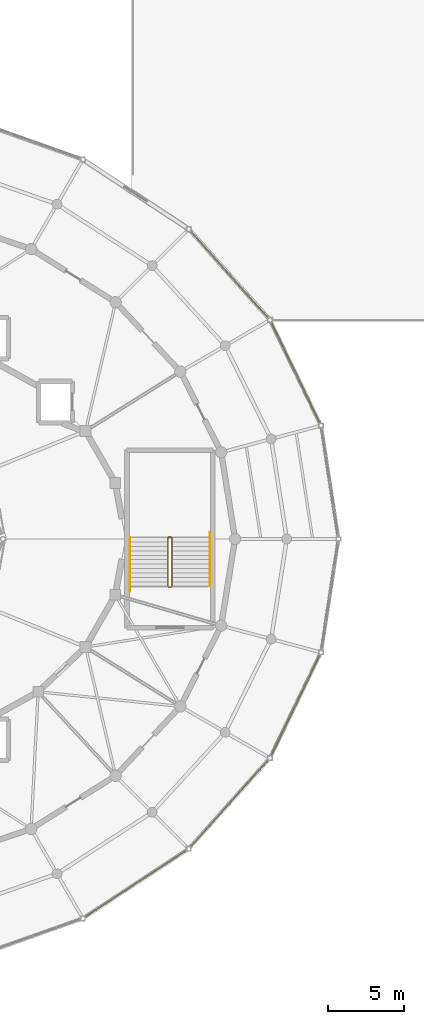
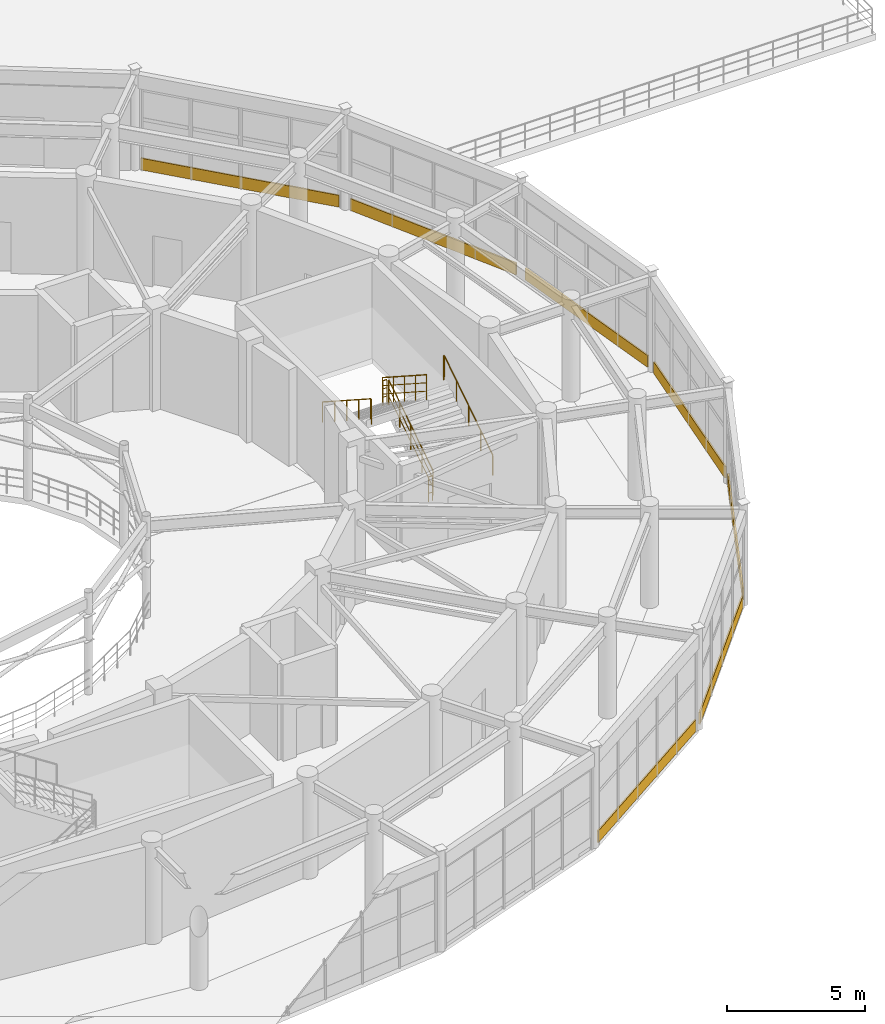
# One storey, part 59 of 60: 7 coverings, 6 railings.
"""IFC4 building model written with IfcOpenShell, lengths in metres."""

from ifc_helpers import new_model, si_unit, direction, frame, origin, origin_2d, place, context, subcontext, project, spatial, rectangle, circle, extrude, material, layer, layer_set, type_object, element, save


model = new_model("IFC4")

# Units and contexts
model_context = context("Model", 3, precision=1e-05, world=origin(), true_north=direction((0.0, 1.0)))
body_context = subcontext(model_context, "Body", "Model", "MODEL_VIEW")
ifc_project = project(units=[si_unit("LENGTHUNIT", "METRE"), si_unit("AREAUNIT", "SQUARE_METRE"), si_unit("VOLUMEUNIT", "CUBIC_METRE"), si_unit("PLANEANGLEUNIT", "RADIAN"), si_unit("MASSUNIT", "GRAM", prefix="KILO")], contexts=[model_context])

# Site, building, storey
site_placement = place(None, origin())
site = spatial("IfcSite", under=ifc_project, at=site_placement, CompositionType="ELEMENT")
building_placement = place(site_placement, origin())
building = spatial("IfcBuilding", under=site, at=building_placement, Name="Cinderbank Siding Concert Hall", CompositionType="ELEMENT")
storey_placement = place(building_placement, frame((0.0, 0.0, 14.699951171875)))
storey = spatial("IfcBuildingStorey", under=building, at=storey_placement, Name="L04", CompositionType="ELEMENT", Elevation=14.699951171875)

# Coverings
ifc_material_1 = material(Name="Spotted gum glulam timber GL18 (42 MPa)", Category="wood")
ifc_layer = layer(ifc_material_1, 0.06494140625)
ifc_layer_set = layer_set([ifc_layer], Name="Spotted gum glulam timber GL18 (42 MPa)")
covering_type = type_object("IfcCoveringType", Name="CL-01 Spotted Gum Spandrel Band 520mm", PredefinedType="CLADDING", material=ifc_layer_set)
covering_1_placement = place(storey_placement, frame((155.027587890625, 47.72705078125, 0.0), z_axis=(0.0, 0.0, 1.0), x_axis=(-0.151815048473, 0.988408918949, 0.0)))
element("IfcCovering", 1, at=covering_1_placement, inside=storey, type_object=covering_type, Name="CW-L04-049 Spotted Gum Spandrel Band", PredefinedType="CLADDING", context=body_context, shape_type="SweptSolid", body=[
    extrude(rectangle(XDim=7.08740234375, YDim=0.06494140625, at=origin_2d()), origin(), (0.0, 0.0, 1.0), 0.52001953125),
])
covering_2_placement = place(storey_placement, frame((152.77685546875, 54.927001953125, 0.0), z_axis=(0.0, 0.0, 1.0), x_axis=(-0.435102109714, 0.900381116041, 0.0)))
element("IfcCovering", 2, at=covering_2_placement, inside=storey, type_object=covering_type, Name="CW-L04-050 Spotted Gum Spandrel Band", PredefinedType="CLADDING", context=body_context, shape_type="SweptSolid", body=[
    extrude(rectangle(XDim=7.260498046875, YDim=0.06494140625, at=origin_2d()), origin(), (0.0, 0.0, 1.0), 0.52001953125),
])
covering_3_placement = place(storey_placement, frame((148.4287109375, 61.38232421875, 0.0), z_axis=(0.0, 0.0, 1.0), x_axis=(-0.666993465338, 0.745063565877, 0.0)))
element("IfcCovering", 3, at=covering_3_placement, inside=storey, type_object=covering_type, Name="CW-L04-051 Spotted Gum Spandrel Band", PredefinedType="CLADDING", context=body_context, shape_type="SweptSolid", body=[
    extrude(rectangle(XDim=7.5517578125, YDim=0.06494140625, at=origin_2d()), origin(), (0.0, 0.0, 1.0), 0.52001953125),
])
covering_4_placement = place(storey_placement, frame((142.279296875, 21.346923828125, 0.0), z_axis=(0.0, 0.0, 1.0), x_axis=(0.835491932304, 0.549502712509, 0.0)))
element("IfcCovering", 4, at=covering_4_placement, inside=storey, type_object=covering_type, Name="CW-L04-068 Spotted Gum Spandrel Band", PredefinedType="CLADDING", context=body_context, shape_type="SweptSolid", body=[
    extrude(rectangle(XDim=7.875, YDim=0.06494140625, at=origin_2d()), origin(), (0.0, 0.0, 1.0), 0.52001953125),
])
covering_5_placement = place(storey_placement, frame((148.4287109375, 26.61767578125, 0.0), z_axis=(0.0, 0.0, 1.0), x_axis=(0.666993465338, 0.745063565877, 0.0)))
element("IfcCovering", 5, at=covering_5_placement, inside=storey, type_object=covering_type, Name="CW-L04-069 Spotted Gum Spandrel Band", PredefinedType="CLADDING", context=body_context, shape_type="SweptSolid", body=[
    extrude(rectangle(XDim=7.5517578125, YDim=0.06494140625, at=origin_2d()), origin(), (0.0, 0.0, 1.0), 0.52001953125),
])
covering_6_placement = place(storey_placement, frame((152.77685546875, 33.072998046875, 0.0), z_axis=(0.0, 0.0, 1.0), x_axis=(0.435102109714, 0.900381116041, 0.0)))
element("IfcCovering", 6, at=covering_6_placement, inside=storey, type_object=covering_type, Name="CW-L04-070 Spotted Gum Spandrel Band", PredefinedType="CLADDING", context=body_context, shape_type="SweptSolid", body=[
    extrude(rectangle(XDim=7.260498046875, YDim=0.06494140625, at=origin_2d()), origin(), (0.0, 0.0, 1.0), 0.52001953125),
])
covering_7_placement = place(storey_placement, frame((155.027587890625, 40.27294921875, 0.0), z_axis=(0.0, 0.0, 1.0), x_axis=(0.151815048473, 0.988408918949, 0.0)))
element("IfcCovering", 7, at=covering_7_placement, inside=storey, type_object=covering_type, Name="CW-L04-071 Spotted Gum Spandrel Band", PredefinedType="CLADDING", context=body_context, shape_type="SweptSolid", body=[
    extrude(rectangle(XDim=7.08740234375, YDim=0.06494140625, at=origin_2d()), origin(), (0.0, 0.0, 1.0), 0.52001953125),
])

# Railings
ifc_material_2 = material(Name="Structural steel AS/NZS 3679.1 Grade 350 (340 MPa)", Category="steel")
railing_type_1 = type_object("IfcRailingType", Name="STG-01 Stair Well Guardrail 1120mm", PredefinedType="GUARDRAIL", material=ifc_material_2)
railing_1_placement = place(storey_placement, frame((144.64990234375, 40.89990234375, 0.1875)))
element("IfcRailing", 8, at=railing_1_placement, inside=storey, type_object=railing_type_1, Name="L04 ST-03 stair guard 1", PredefinedType="GUARDRAIL", context=body_context, shape_type="SweptSolid", body=[
    extrude(circle(Radius=0.02392578125, at=origin_2d()), frame((0.0, 0.0, 1.09619140625), z_axis=(0.0, 0.839778728322, 0.542928805147), x_axis=(-1.0, 0.0, 0.0)), (0.0, 0.0, 1.0), 3.798828125),
    extrude(circle(Radius=0.01611328125, at=origin_2d()), frame((0.0, 0.0, 0.36962890625), z_axis=(0.0, 0.839778728322, 0.542928805147), x_axis=(-1.0, 0.0, 0.0)), (0.0, 0.0, 1.0), 3.798828125),
    extrude(circle(Radius=0.01611328125, at=origin_2d()), frame((0.0, 0.0, 0.7392578125), z_axis=(0.0, 0.839778728322, 0.542928805147), x_axis=(-1.0, 0.0, 0.0)), (0.0, 0.0, 1.0), 3.798828125),
    extrude(circle(Radius=0.02099609375, at=origin_2d()), origin(), (0.0, 0.0, 1.0), 1.072021484375),
    extrude(circle(Radius=0.02099609375, at=origin_2d()), frame((0.0, 0.797607421875, 0.515625)), (0.0, 0.0, 1.0), 1.072021484375),
    extrude(circle(Radius=0.02099609375, at=origin_2d()), frame((0.0, 1.59521484375, 1.03125)), (0.0, 0.0, 1.0), 1.072021484375),
    extrude(circle(Radius=0.02099609375, at=origin_2d()), frame((0.0, 2.392578125, 1.546875)), (0.0, 0.0, 1.0), 1.072021484375),
    extrude(circle(Radius=0.02099609375, at=origin_2d()), frame((0.0, 3.190185546875, 2.0625)), (0.0, 0.0, 1.0), 1.072021484375),
])
railing_2_placement = place(storey_placement, frame((144.60009765625, 44.139892578125, 2.25)))
element("IfcRailing", 9, at=railing_2_placement, inside=storey, type_object=railing_type_1, Name="L04 ST-03 stair guard 2", PredefinedType="GUARDRAIL", context=body_context, shape_type="SweptSolid", body=[
    extrude(circle(Radius=0.02392578125, at=origin_2d()), frame((0.0, 0.0, 1.09619140625), z_axis=(-1.0, 0.0, 0.0), x_axis=(0.0, -1.0, 0.0)), (0.0, 0.0, 1.0), 0.16015625),
    extrude(circle(Radius=0.01611328125, at=origin_2d()), frame((0.0, 0.0, 0.36962890625), z_axis=(-1.0, 0.0, 0.0), x_axis=(0.0, -1.0, 0.0)), (0.0, 0.0, 1.0), 0.16015625),
    extrude(circle(Radius=0.01611328125, at=origin_2d()), frame((0.0, 0.0, 0.7392578125), z_axis=(-1.0, 0.0, 0.0), x_axis=(0.0, -1.0, 0.0)), (0.0, 0.0, 1.0), 0.16015625),
    extrude(circle(Radius=0.02099609375, at=origin_2d()), origin(), (0.0, 0.0, 1.0), 1.072021484375),
    extrude(circle(Radius=0.02099609375, at=origin_2d()), frame((-0.16015625, 0.0, 0.0)), (0.0, 0.0, 1.0), 1.072021484375),
])
railing_3_placement = place(storey_placement, frame((144.389892578125, 44.090087890625, 2.4375)))
element("IfcRailing", 10, at=railing_3_placement, inside=storey, type_object=railing_type_1, Name="L04 ST-03 stair guard 3", PredefinedType="GUARDRAIL", context=body_context, shape_type="SweptSolid", body=[
    extrude(circle(Radius=0.02392578125, at=origin_2d()), frame((0.0, 0.0, 1.09619140625), z_axis=(0.0, -0.839778728322, 0.542928805147), x_axis=(1.0, 0.0, 0.0)), (0.0, 0.0, 1.0), 3.798828125),
    extrude(circle(Radius=0.01611328125, at=origin_2d()), frame((0.0, 0.0, 0.36962890625), z_axis=(0.0, -0.839778728322, 0.542928805147), x_axis=(1.0, 0.0, 0.0)), (0.0, 0.0, 1.0), 3.798828125),
    extrude(circle(Radius=0.01611328125, at=origin_2d()), frame((0.0, 0.0, 0.7392578125), z_axis=(0.0, -0.839778728322, 0.542928805147), x_axis=(1.0, 0.0, 0.0)), (0.0, 0.0, 1.0), 3.798828125),
    extrude(circle(Radius=0.02099609375, at=origin_2d()), origin(), (0.0, 0.0, 1.0), 1.072021484375),
    extrude(circle(Radius=0.02099609375, at=origin_2d()), frame((0.0, -0.797607421875, 0.515625)), (0.0, 0.0, 1.0), 1.072021484375),
    extrude(circle(Radius=0.02099609375, at=origin_2d()), frame((0.0, -1.59521484375, 1.03125)), (0.0, 0.0, 1.0), 1.072021484375),
    extrude(circle(Radius=0.02099609375, at=origin_2d()), frame((0.0, -2.392578125, 1.546875)), (0.0, 0.0, 1.0), 1.072021484375),
    extrude(circle(Radius=0.02099609375, at=origin_2d()), frame((0.0, -3.190185546875, 2.0625)), (0.0, 0.0, 1.0), 1.072021484375),
])
railing_4_placement = place(storey_placement, frame((144.60009765625, 40.85009765625, 0.0)))
element("IfcRailing", 11, at=railing_4_placement, inside=storey, type_object=railing_type_1, Name="L04 ST-03 stair guard 4", PredefinedType="GUARDRAIL", context=body_context, shape_type="SweptSolid", body=[
    extrude(circle(Radius=0.02392578125, at=origin_2d()), frame((0.0, 0.0, 1.09619140625), z_axis=(-1.0, 0.0, 0.0), x_axis=(0.0, -1.0, 0.0)), (0.0, 0.0, 1.0), 0.16015625),
    extrude(circle(Radius=0.01611328125, at=origin_2d()), frame((0.0, 0.0, 0.36962890625), z_axis=(-1.0, 0.0, 0.0), x_axis=(0.0, -1.0, 0.0)), (0.0, 0.0, 1.0), 0.16015625),
    extrude(circle(Radius=0.01611328125, at=origin_2d()), frame((0.0, 0.0, 0.7392578125), z_axis=(-1.0, 0.0, 0.0), x_axis=(0.0, -1.0, 0.0)), (0.0, 0.0, 1.0), 0.16015625),
    extrude(circle(Radius=0.02099609375, at=origin_2d()), origin(), (0.0, 0.0, 1.0), 1.072021484375),
    extrude(circle(Radius=0.02099609375, at=origin_2d()), frame((-0.16015625, 0.0, 0.0)), (0.0, 0.0, 1.0), 1.072021484375),
])
railing_type_2 = type_object("IfcRailingType", Name="STH-01 Stair Pitch Handrail 920mm", PredefinedType="HANDRAIL", material=ifc_material_2)
railing_5_placement = place(storey_placement, frame((147.14990234375, 40.89990234375, 0.1875)))
element("IfcRailing", 12, at=railing_5_placement, inside=storey, type_object=railing_type_2, Name="L04 ST-03 stair handrail 1", PredefinedType="HANDRAIL", context=body_context, shape_type="SweptSolid", body=[
    extrude(circle(Radius=0.02392578125, at=origin_2d()), frame((0.0, 0.0, 0.89599609375), z_axis=(0.0, 0.839762940478, 0.542953224319), x_axis=(-1.0, 0.0, 0.0)), (0.0, 0.0, 1.0), 4.14404296875),
    extrude(circle(Radius=0.02392578125, at=origin_2d()), frame((0.0, 3.47998046875, 3.14599609375), z_axis=(0.0, 1.0, 0.0), x_axis=(-1.0, 0.0, 0.0)), (0.0, 0.0, 1.0), 0.06005859375),
    extrude(circle(Radius=0.02099609375, at=origin_2d()), origin(), (0.0, 0.0, 1.0), 0.871826171875),
    extrude(circle(Radius=0.02099609375, at=origin_2d()), frame((0.0, 0.8701171875, 0.5625)), (0.0, 0.0, 1.0), 0.871826171875),
    extrude(circle(Radius=0.02099609375, at=origin_2d()), frame((0.0, 1.739990234375, 1.125)), (0.0, 0.0, 1.0), 0.871826171875),
    extrude(circle(Radius=0.02099609375, at=origin_2d()), frame((0.0, 2.60986328125, 1.6875)), (0.0, 0.0, 1.0), 0.871826171875),
    extrude(circle(Radius=0.02099609375, at=origin_2d()), frame((0.0, 3.47998046875, 2.25)), (0.0, 0.0, 1.0), 0.871826171875),
    extrude(circle(Radius=0.02099609375, at=origin_2d()), frame((0.0, 3.5400390625, 2.0625)), (0.0, 0.0, 1.0), 1.059326171875),
])
railing_6_placement = place(storey_placement, frame((141.889892578125, 44.090087890625, 2.4375)))
element("IfcRailing", 13, at=railing_6_placement, inside=storey, type_object=railing_type_2, Name="L04 ST-03 stair handrail 2", PredefinedType="HANDRAIL", context=body_context, shape_type="SweptSolid", body=[
    extrude(circle(Radius=0.02392578125, at=origin_2d()), frame((0.0, 0.0, 0.89599609375), z_axis=(0.0, -0.839762940478, 0.542953224319), x_axis=(1.0, 0.0, 0.0)), (0.0, 0.0, 1.0), 4.14404296875),
    extrude(circle(Radius=0.02392578125, at=origin_2d()), frame((0.0, -3.47998046875, 3.14599609375), z_axis=(0.0, -1.0, 0.0), x_axis=(1.0, 0.0, 0.0)), (0.0, 0.0, 1.0), 0.06005859375),
    extrude(circle(Radius=0.02099609375, at=origin_2d()), origin(), (0.0, 0.0, 1.0), 0.871826171875),
    extrude(circle(Radius=0.02099609375, at=origin_2d()), frame((0.0, -0.8701171875, 0.5625)), (0.0, 0.0, 1.0), 0.871826171875),
    extrude(circle(Radius=0.02099609375, at=origin_2d()), frame((0.0, -1.739990234375, 1.125)), (0.0, 0.0, 1.0), 0.871826171875),
    extrude(circle(Radius=0.02099609375, at=origin_2d()), frame((0.0, -2.60986328125, 1.6875)), (0.0, 0.0, 1.0), 0.871826171875),
    extrude(circle(Radius=0.02099609375, at=origin_2d()), frame((0.0, -3.47998046875, 2.25)), (0.0, 0.0, 1.0), 0.871826171875),
    extrude(circle(Radius=0.02099609375, at=origin_2d()), frame((0.0, -3.5400390625, 2.0625)), (0.0, 0.0, 1.0), 1.059326171875),
])

save(model, "model.ifc")
